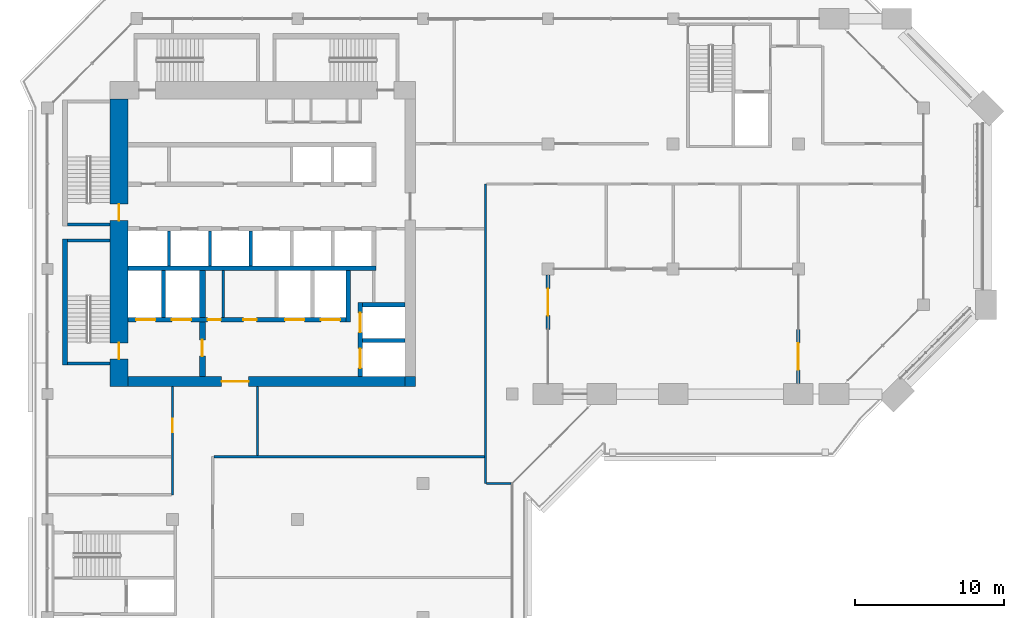
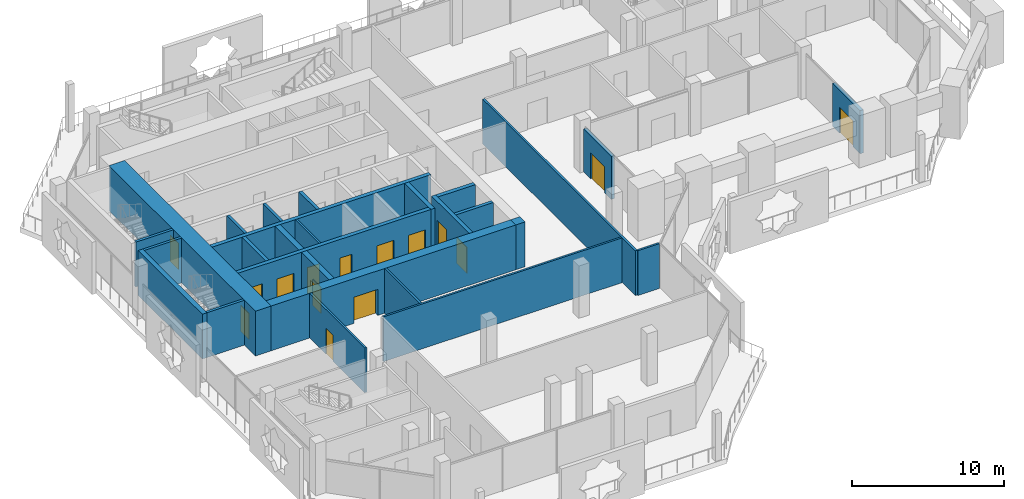
# One storey, part 11 of 20: 27 walls, 15 doors, 15 openings.
"""IFC4 building model written with IfcOpenShell, lengths in metres."""

from ifc_helpers import new_model, si_unit, direction, frame, frame_2d, origin, place, context, subcontext, project, spatial, rectangle, extrude, material, layer, layer_set, type_object, element, fill, save


model = new_model("IFC4")

# Units and contexts
model_context = context("Model", 3, precision=1e-05, world=origin(), true_north=direction((0.0, 1.0)))
body_context = subcontext(model_context, "Body", "Model", "MODEL_VIEW")
ifc_project = project(units=[si_unit("LENGTHUNIT", "METRE"), si_unit("AREAUNIT", "SQUARE_METRE"), si_unit("VOLUMEUNIT", "CUBIC_METRE"), si_unit("PLANEANGLEUNIT", "RADIAN"), si_unit("MASSUNIT", "GRAM", prefix="KILO")], contexts=[model_context])

# Site, building, storey
site_placement = place(None, origin())
site = spatial("IfcSite", under=ifc_project, at=site_placement, CompositionType="ELEMENT")
building_placement = place(site_placement, origin())
building = spatial("IfcBuilding", under=site, at=building_placement, Name="Kawkab Arch Medical Tower", CompositionType="ELEMENT")
storey_placement = place(building_placement, frame((0.0, 0.0, 277.60009765625)))
storey = spatial("IfcBuildingStorey", under=building, at=storey_placement, Name="L64", CompositionType="ELEMENT", Elevation=277.60009765625)

# Wall, openings, doors
ifc_material_1 = material(Name="Concrete C50/60", Category="concrete")
ifc_layer_1 = layer(ifc_material_1, 1.199951171875)
ifc_layer_set_1 = layer_set([ifc_layer_1], Name="Concrete C50/60")
wall_type_1 = type_object("IfcWallType", Name="Core ring wall 1200 C50/60", PredefinedType="SHEAR", material=ifc_layer_set_1)
wall_1_placement = place(storey_placement, frame((4.800048828125, -24.699951171875, 0.0), z_axis=(0.0, 0.0, 1.0), x_axis=(0.0, 1.0, 0.0)))
wall_1 = element("IfcWall", 1, at=wall_1_placement, inside=storey, type_object=wall_type_1, Name="L64 core wall", PredefinedType="SHEAR", context=body_context, shape_type="SweptSolid", body=[
    extrude(rectangle(XDim=19.300048828125, YDim=1.199951171875, at=frame_2d((9.64990234375, 0.0))), origin(), (0.0, 0.0, 1.0), 3.599853515625),
])
opening_1_placement = place(wall_1_placement, frame((11.14990234375, 0.0, 0.0)))
opening_1 = element("IfcOpeningElement", 2, at=opening_1_placement, cuts=wall_1, Name="Opening SD", PredefinedType="OPENING", context=body_context, shape_type="SweptSolid", body=[
    extrude(rectangle(XDim=1.10009765625, YDim=2.10009765625, at=frame_2d((0.550048828125, 1.050048828125))), frame((0.0, 0.60986328125, 0.0), z_axis=(0.0, -1.0, 0.0), x_axis=(1.0, 0.0, 0.0)), (0.0, 0.0, 1.0), 1.219970703125),
])
opening_2_placement = place(wall_1_placement, frame((1.85009765625, 0.0, 0.0)))
opening_2 = element("IfcOpeningElement", 3, at=opening_2_placement, cuts=wall_1, Name="Opening SD", PredefinedType="OPENING", context=body_context, shape_type="SweptSolid", body=[
    extrude(rectangle(XDim=1.10009765625, YDim=2.10009765625, at=frame_2d((0.550048828125, 1.050048828125))), frame((0.0, 0.60986328125, 0.0), z_axis=(0.0, -1.0, 0.0), x_axis=(1.0, 0.0, 0.0)), (0.0, 0.0, 1.0), 1.219970703125),
])
ifc_material_2 = material(Name="Hollow metal fire door leaf")
door_type_1 = type_object("IfcDoorType", Name="Exit stair door 1100", OperationType="SINGLE_SWING_LEFT", PredefinedType="DOOR", material=ifc_material_2)
door_1_placement = place(opening_1_placement, origin())
door_1 = element("IfcDoor", 4, at=door_1_placement, inside=storey, type_object=door_type_1, Name="L64 Exit stair ST1 door", OperationType="SINGLE_SWING_LEFT", OverallHeight=2.10009765625, OverallWidth=1.10009765625, PredefinedType="DOOR", context=body_context, shape_type="SweptSolid", body=[
    extrude(rectangle(XDim=1.10009765625, YDim=2.10009765625, at=frame_2d((0.550048828125, 1.050048828125))), frame((0.0, 0.02490234375, 0.0), z_axis=(0.0, -1.0, 0.0), x_axis=(1.0, 0.0, 0.0)), (0.0, 0.0, 1.0), 0.050048828125),
])
fill(opening_1, door_1)
door_2_placement = place(opening_2_placement, origin())
door_2 = element("IfcDoor", 5, at=door_2_placement, inside=storey, type_object=door_type_1, Name="L64 Exit stair ST2 door", OperationType="SINGLE_SWING_LEFT", OverallHeight=2.10009765625, OverallWidth=1.10009765625, PredefinedType="DOOR", context=body_context, shape_type="SweptSolid", body=[
    extrude(rectangle(XDim=1.10009765625, YDim=2.10009765625, at=frame_2d((0.550048828125, 1.050048828125))), frame((0.0, 0.02490234375, 0.0), z_axis=(0.0, -1.0, 0.0), x_axis=(1.0, 0.0, 0.0)), (0.0, 0.0, 1.0), 0.050048828125),
])
fill(opening_2, door_2)

# Wall, opening, door
ifc_material_3 = material(Name="Concrete C50/60", Category="concrete")
ifc_layer_2 = layer(ifc_material_3, 0.699951171875)
ifc_layer_set_2 = layer_set([ifc_layer_2], Name="Concrete C50/60")
wall_type_2 = type_object("IfcWallType", Name="Core ring wall 700 C50/60", PredefinedType="SHEAR", material=ifc_layer_set_2)
wall_2_placement = place(storey_placement, frame((5.39990234375, -24.35009765625, 0.0), z_axis=(0.0, 0.0, 1.0), x_axis=(1.0, 0.0, 0.0)))
wall_2 = element("IfcWall", 6, at=wall_2_placement, inside=storey, type_object=wall_type_2, Name="L64 core wall", PredefinedType="SHEAR", context=body_context, shape_type="SweptSolid", body=[
    extrude(rectangle(XDim=18.60009765625, YDim=0.699951171875, at=frame_2d((9.300048828125, 0.0))), origin(), (0.0, 0.0, 1.0), 3.599853515625),
])
opening_3_placement = place(wall_2_placement, frame((6.300048828125, 0.0, 0.0)))
opening_3 = element("IfcOpeningElement", 7, at=opening_3_placement, cuts=wall_2, Name="Opening PD", PredefinedType="OPENING", context=body_context, shape_type="SweptSolid", body=[
    extrude(rectangle(XDim=1.800048828125, YDim=2.10009765625, at=frame_2d((0.89990234375, 1.050048828125))), frame((0.0, 0.35986328125, 0.0), z_axis=(0.0, -1.0, 0.0), x_axis=(1.0, 0.0, 0.0)), (0.0, 0.0, 1.0), 0.719970703125),
])
ifc_material_4 = material(Name="Hollow metal fire door leaf")
door_type_2 = type_object("IfcDoorType", Name="Core entrance doors 1800", OperationType="DOUBLE_DOOR_SINGLE_SWING", PredefinedType="DOOR", material=ifc_material_4)
door_3_placement = place(opening_3_placement, origin())
door_3 = element("IfcDoor", 8, at=door_3_placement, inside=storey, type_object=door_type_2, Name="L64 South entrance doors", OperationType="DOUBLE_DOOR_SINGLE_SWING", OverallHeight=2.10009765625, OverallWidth=1.800048828125, PredefinedType="DOOR", context=body_context, shape_type="SweptSolid", body=[
    extrude(rectangle(XDim=1.800048828125, YDim=2.10009765625, at=frame_2d((0.89990234375, 1.050048828125))), frame((0.0, 0.02490234375, 0.0), z_axis=(0.0, -1.0, 0.0), x_axis=(1.0, 0.0, 0.0)), (0.0, 0.0, 1.0), 0.050048828125),
])
fill(opening_3, door_3)

# Walls
wall_3_placement = place(storey_placement, frame((24.35009765625, -24.699951171875, 0.0), z_axis=(0.0, 0.0, 1.0), x_axis=(0.0, 1.0, 0.0)))
element("IfcWall", 9, at=wall_3_placement, inside=storey, type_object=wall_type_2, Name="L64 core wall", PredefinedType="SHEAR", context=body_context, shape_type="SweptSolid", body=[
    extrude(rectangle(XDim=0.699951171875, YDim=0.699951171875, at=frame_2d((0.35009765625, 0.0))), origin(), (0.0, 0.0, 1.0), 3.599853515625),
])
ifc_material_5 = material(Name="Gypsum board on steel studs", Category="steel")
ifc_layer_3 = layer(ifc_material_5, 0.14990234375)
ifc_layer_set_3 = layer_set([ifc_layer_3], Name="Gypsum board on steel studs")
wall_type_3 = type_object("IfcWallType", Name="Core room partition 150", PredefinedType="PARTITIONING", material=ifc_layer_set_3)
wall_4_placement = place(storey_placement, frame((11.800048828125, -20.050048828125, 0.0), z_axis=(0.0, 0.0, 1.0), x_axis=(0.0, 1.0, 0.0)))
element("IfcWall", 10, at=wall_4_placement, inside=storey, type_object=wall_type_3, Name="L64 core room partition", PredefinedType="PARTITIONING", context=body_context, shape_type="SweptSolid", body=[
    extrude(rectangle(XDim=3.150146484375, YDim=0.14990234375, at=frame_2d((1.5751953125, 0.0))), origin(), (0.0, 0.0, 1.0), 3.599853515625),
])
ifc_material_6 = material(Name="Concrete C60/75", Category="concrete")
ifc_layer_4 = layer(ifc_material_6, 0.25)
ifc_layer_set_4 = layer_set([ifc_layer_4], Name="Concrete C60/75")
wall_type_4 = type_object("IfcWallType", Name="Core shear wall 250 C60/75", PredefinedType="SHEAR", material=ifc_layer_set_4)
wall_5_placement = place(storey_placement, frame((21.14990234375, -21.60009765625, 0.0), z_axis=(0.0, 0.0, 1.0), x_axis=(1.0, 0.0, 0.0)))
element("IfcWall", 11, at=wall_5_placement, inside=storey, type_object=wall_type_4, Name="L64 core shear wall", PredefinedType="SHEAR", context=body_context, shape_type="SweptSolid", body=[
    extrude(rectangle(XDim=2.85009765625, YDim=0.25, at=frame_2d((1.425048828125, 0.0))), origin(), (0.0, 0.0, 1.0), 3.599853515625),
])
wall_6_placement = place(storey_placement, frame((7.800048828125, -20.050048828125, 0.0), z_axis=(0.0, 0.0, 1.0), x_axis=(0.0, 1.0, 0.0)))
element("IfcWall", 12, at=wall_6_placement, inside=storey, type_object=wall_type_4, Name="L64 core shear wall", PredefinedType="SHEAR", context=body_context, shape_type="SweptSolid", body=[
    extrude(rectangle(XDim=3.150146484375, YDim=0.25, at=frame_2d((1.5751953125, 0.0))), origin(), (0.0, 0.0, 1.0), 3.599853515625),
])
wall_7_placement = place(storey_placement, frame((13.64990234375, -16.60009765625, 0.0), z_axis=(0.0, 0.0, 1.0), x_axis=(0.0, 1.0, 0.0)))
element("IfcWall", 13, at=wall_7_placement, inside=storey, type_object=wall_type_4, Name="L64 core shear wall", PredefinedType="SHEAR", context=body_context, shape_type="SweptSolid", body=[
    extrude(rectangle(XDim=2.35009765625, YDim=0.25, at=frame_2d((1.175048828125, 0.0))), origin(), (0.0, 0.0, 1.0), 3.599853515625),
])
ifc_material_7 = material(Name="Concrete C60/75", Category="concrete")
ifc_layer_5 = layer(ifc_material_7, 0.300048828125)
ifc_layer_set_5 = layer_set([ifc_layer_5], Name="Concrete C60/75")
wall_type_5 = type_object("IfcWallType", Name="Core shear wall 300 C60/75", PredefinedType="SHEAR", material=ifc_layer_set_5)
wall_8_placement = place(storey_placement, frame((5.39990234375, -16.75, 0.0), z_axis=(0.0, 0.0, 1.0), x_axis=(1.0, 0.0, 0.0)))
element("IfcWall", 14, at=wall_8_placement, inside=storey, type_object=wall_type_5, Name="L64 core shear wall", PredefinedType="SHEAR", context=body_context, shape_type="SweptSolid", body=[
    extrude(rectangle(XDim=16.650146484375, YDim=0.300048828125, at=frame_2d((8.3251953125, 0.0))), origin(), (0.0, 0.0, 1.0), 3.599853515625),
])

# Wall, openings, doors
wall_9_placement = place(storey_placement, frame((5.39990234375, -20.199951171875, 0.0), z_axis=(0.0, 0.0, 1.0), x_axis=(1.0, 0.0, 0.0)))
wall_9 = element("IfcWall", 15, at=wall_9_placement, inside=storey, type_object=wall_type_5, Name="L64 core shear wall", PredefinedType="SHEAR", context=body_context, shape_type="SweptSolid", body=[
    extrude(rectangle(XDim=14.650146484375, YDim=0.300048828125, at=frame_2d((7.3251953125, 0.0))), origin(), (0.0, 0.0, 1.0), 3.599853515625),
])
opening_4_placement = place(wall_9_placement, frame((10.550048828125, 0.0, 0.0)))
opening_4 = element("IfcOpeningElement", 16, at=opening_4_placement, cuts=wall_9, Name="Opening LD2", PredefinedType="OPENING", context=body_context, shape_type="SweptSolid", body=[
    extrude(rectangle(XDim=1.300048828125, YDim=2.10009765625, at=frame_2d((0.64990234375, 1.050048828125))), frame((0.0, 0.159912109375, 0.0), z_axis=(0.0, -1.0, 0.0), x_axis=(1.0, 0.0, 0.0)), (0.0, 0.0, 1.0), 0.320068359375),
])
opening_5_placement = place(wall_9_placement, frame((12.949951171875, 0.0, 0.0)))
opening_5 = element("IfcOpeningElement", 17, at=opening_5_placement, cuts=wall_9, Name="Opening LD2", PredefinedType="OPENING", context=body_context, shape_type="SweptSolid", body=[
    extrude(rectangle(XDim=1.300048828125, YDim=2.10009765625, at=frame_2d((0.64990234375, 1.050048828125))), frame((0.0, 0.159912109375, 0.0), z_axis=(0.0, -1.0, 0.0), x_axis=(1.0, 0.0, 0.0)), (0.0, 0.0, 1.0), 0.320068359375),
])
opening_6_placement = place(wall_9_placement, frame((0.550048828125, 0.0, 0.0)))
opening_6 = element("IfcOpeningElement", 18, at=opening_6_placement, cuts=wall_9, Name="Opening LD2", PredefinedType="OPENING", context=body_context, shape_type="SweptSolid", body=[
    extrude(rectangle(XDim=1.300048828125, YDim=2.10009765625, at=frame_2d((0.64990234375, 1.050048828125))), frame((0.0, 0.159912109375, 0.0), z_axis=(0.0, -1.0, 0.0), x_axis=(1.0, 0.0, 0.0)), (0.0, 0.0, 1.0), 0.320068359375),
])
opening_7_placement = place(wall_9_placement, frame((2.949951171875, 0.0, 0.0)))
opening_7 = element("IfcOpeningElement", 19, at=opening_7_placement, cuts=wall_9, Name="Opening LD2", PredefinedType="OPENING", context=body_context, shape_type="SweptSolid", body=[
    extrude(rectangle(XDim=1.300048828125, YDim=2.10009765625, at=frame_2d((0.64990234375, 1.050048828125))), frame((0.0, 0.159912109375, 0.0), z_axis=(0.0, -1.0, 0.0), x_axis=(1.0, 0.0, 0.0)), (0.0, 0.0, 1.0), 0.320068359375),
])
opening_8_placement = place(wall_9_placement, frame((5.35009765625, 0.0, 0.0)))
opening_8 = element("IfcOpeningElement", 20, at=opening_8_placement, cuts=wall_9, Name="Opening RD", PredefinedType="OPENING", context=body_context, shape_type="SweptSolid", body=[
    extrude(rectangle(XDim=0.89990234375, YDim=2.10009765625, at=frame_2d((0.449951171875, 1.050048828125))), frame((0.0, 0.159912109375, 0.0), z_axis=(0.0, -1.0, 0.0), x_axis=(1.0, 0.0, 0.0)), (0.0, 0.0, 1.0), 0.320068359375),
])
opening_9_placement = place(wall_9_placement, frame((7.75, 0.0, 0.0)))
opening_9 = element("IfcOpeningElement", 21, at=opening_9_placement, cuts=wall_9, Name="Opening RD", PredefinedType="OPENING", context=body_context, shape_type="SweptSolid", body=[
    extrude(rectangle(XDim=0.89990234375, YDim=2.10009765625, at=frame_2d((0.449951171875, 1.050048828125))), frame((0.0, 0.159912109375, 0.0), z_axis=(0.0, -1.0, 0.0), x_axis=(1.0, 0.0, 0.0)), (0.0, 0.0, 1.0), 0.320068359375),
])
ifc_material_8 = material(Name="Hollow metal fire door leaf")
door_type_3 = type_object("IfcDoorType", Name="Core room door 900", OperationType="SINGLE_SWING_LEFT", PredefinedType="DOOR", material=ifc_material_8)
door_4_placement = place(opening_8_placement, origin())
door_4 = element("IfcDoor", 22, at=door_4_placement, inside=storey, type_object=door_type_3, Name="L64 Equipment store door", OperationType="SINGLE_SWING_LEFT", OverallHeight=2.10009765625, OverallWidth=0.89990234375, PredefinedType="DOOR", context=body_context, shape_type="SweptSolid", body=[
    extrude(rectangle(XDim=0.89990234375, YDim=2.10009765625, at=frame_2d((0.449951171875, 1.050048828125))), frame((0.0, 0.02490234375, 0.0), z_axis=(0.0, -1.0, 0.0), x_axis=(1.0, 0.0, 0.0)), (0.0, 0.0, 1.0), 0.050048828125),
])
fill(opening_8, door_4)
door_5_placement = place(opening_9_placement, origin())
door_5 = element("IfcDoor", 23, at=door_5_placement, inside=storey, type_object=door_type_3, Name="L64 Medication store door", OperationType="SINGLE_SWING_LEFT", OverallHeight=2.10009765625, OverallWidth=0.89990234375, PredefinedType="DOOR", context=body_context, shape_type="SweptSolid", body=[
    extrude(rectangle(XDim=0.89990234375, YDim=2.10009765625, at=frame_2d((0.449951171875, 1.050048828125))), frame((0.0, 0.02490234375, 0.0), z_axis=(0.0, -1.0, 0.0), x_axis=(1.0, 0.0, 0.0)), (0.0, 0.0, 1.0), 0.050048828125),
])
fill(opening_9, door_5)
ifc_material_9 = material(Name="Stainless steel lift door leaf", Category="steel")
door_type_4 = type_object("IfcDoorType", Name="Lift landing door 1300", OperationType="DOUBLE_DOOR_SLIDING", PredefinedType="DOOR", material=ifc_material_9)
door_6_placement = place(opening_4_placement, origin())
door_6 = element("IfcDoor", 24, at=door_6_placement, inside=storey, type_object=door_type_4, Name="L64 Lift landing door BD3", OperationType="DOUBLE_DOOR_SLIDING", OverallHeight=2.10009765625, OverallWidth=1.300048828125, PredefinedType="DOOR", context=body_context, shape_type="SweptSolid", body=[
    extrude(rectangle(XDim=1.300048828125, YDim=2.10009765625, at=frame_2d((0.64990234375, 1.050048828125))), frame((0.0, 0.02490234375, 0.0), z_axis=(0.0, -1.0, 0.0), x_axis=(1.0, 0.0, 0.0)), (0.0, 0.0, 1.0), 0.050048828125),
])
fill(opening_4, door_6)
door_7_placement = place(opening_5_placement, origin())
door_7 = element("IfcDoor", 25, at=door_7_placement, inside=storey, type_object=door_type_4, Name="L64 Lift landing door BD4", OperationType="DOUBLE_DOOR_SLIDING", OverallHeight=2.10009765625, OverallWidth=1.300048828125, PredefinedType="DOOR", context=body_context, shape_type="SweptSolid", body=[
    extrude(rectangle(XDim=1.300048828125, YDim=2.10009765625, at=frame_2d((0.64990234375, 1.050048828125))), frame((0.0, 0.02490234375, 0.0), z_axis=(0.0, -1.0, 0.0), x_axis=(1.0, 0.0, 0.0)), (0.0, 0.0, 1.0), 0.050048828125),
])
fill(opening_5, door_7)
door_8_placement = place(opening_6_placement, origin())
door_8 = element("IfcDoor", 26, at=door_8_placement, inside=storey, type_object=door_type_4, Name="L64 Lift landing door FL1", OperationType="DOUBLE_DOOR_SLIDING", OverallHeight=2.10009765625, OverallWidth=1.300048828125, PredefinedType="DOOR", context=body_context, shape_type="SweptSolid", body=[
    extrude(rectangle(XDim=1.300048828125, YDim=2.10009765625, at=frame_2d((0.64990234375, 1.050048828125))), frame((0.0, 0.02490234375, 0.0), z_axis=(0.0, -1.0, 0.0), x_axis=(1.0, 0.0, 0.0)), (0.0, 0.0, 1.0), 0.050048828125),
])
fill(opening_6, door_8)
door_9_placement = place(opening_7_placement, origin())
door_9 = element("IfcDoor", 27, at=door_9_placement, inside=storey, type_object=door_type_4, Name="L64 Lift landing door FL2", OperationType="DOUBLE_DOOR_SLIDING", OverallHeight=2.10009765625, OverallWidth=1.300048828125, PredefinedType="DOOR", context=body_context, shape_type="SweptSolid", body=[
    extrude(rectangle(XDim=1.300048828125, YDim=2.10009765625, at=frame_2d((0.64990234375, 1.050048828125))), frame((0.0, 0.02490234375, 0.0), z_axis=(0.0, -1.0, 0.0), x_axis=(1.0, 0.0, 0.0)), (0.0, 0.0, 1.0), 0.050048828125),
])
fill(opening_7, door_9)

# Walls
wall_10_placement = place(storey_placement, frame((20.199951171875, -20.35009765625, 0.0), z_axis=(0.0, 0.0, 1.0), x_axis=(0.0, 1.0, 0.0)))
element("IfcWall", 28, at=wall_10_placement, inside=storey, type_object=wall_type_5, Name="L64 core shear wall", PredefinedType="SHEAR", context=body_context, shape_type="SweptSolid", body=[
    extrude(rectangle(XDim=3.4501953125, YDim=0.300048828125, at=frame_2d((1.72509765625, 0.0))), origin(), (0.0, 0.0, 1.0), 3.599853515625),
])
wall_11_placement = place(storey_placement, frame((21.14990234375, -19.199951171875, 0.0), z_axis=(0.0, 0.0, 1.0), x_axis=(1.0, 0.0, 0.0)))
element("IfcWall", 29, at=wall_11_placement, inside=storey, type_object=wall_type_5, Name="L64 core shear wall", PredefinedType="SHEAR", context=body_context, shape_type="SweptSolid", body=[
    extrude(rectangle(XDim=2.85009765625, YDim=0.300048828125, at=frame_2d((1.425048828125, 0.0))), origin(), (0.0, 0.0, 1.0), 3.599853515625),
])

# Wall, openings, doors
wall_12_placement = place(storey_placement, frame((21.0, -24.0, 0.0), z_axis=(0.0, 0.0, 1.0), x_axis=(0.0, 1.0, 0.0)))
wall_12 = element("IfcWall", 30, at=wall_12_placement, inside=storey, type_object=wall_type_5, Name="L64 core shear wall", PredefinedType="SHEAR", context=body_context, shape_type="SweptSolid", body=[
    extrude(rectangle(XDim=4.949951171875, YDim=0.300048828125, at=frame_2d((2.47509765625, 0.0))), origin(), (0.0, 0.0, 1.0), 3.599853515625),
])
opening_10_placement = place(wall_12_placement, frame((2.949951171875, 0.0, 0.0)))
opening_10 = element("IfcOpeningElement", 31, at=opening_10_placement, cuts=wall_12, Name="Opening LD2", PredefinedType="OPENING", context=body_context, shape_type="SweptSolid", body=[
    extrude(rectangle(XDim=1.300048828125, YDim=2.10009765625, at=frame_2d((0.64990234375, 1.050048828125))), frame((0.0, 0.159912109375, 0.0), z_axis=(0.0, -1.0, 0.0), x_axis=(1.0, 0.0, 0.0)), (0.0, 0.0, 1.0), 0.320068359375),
])
opening_11_placement = place(wall_12_placement, frame((0.550048828125, 0.0, 0.0)))
opening_11 = element("IfcOpeningElement", 32, at=opening_11_placement, cuts=wall_12, Name="Opening LD2", PredefinedType="OPENING", context=body_context, shape_type="SweptSolid", body=[
    extrude(rectangle(XDim=1.300048828125, YDim=2.10009765625, at=frame_2d((0.64990234375, 1.050048828125))), frame((0.0, 0.159912109375, 0.0), z_axis=(0.0, -1.0, 0.0), x_axis=(1.0, 0.0, 0.0)), (0.0, 0.0, 1.0), 0.320068359375),
])
door_10_placement = place(opening_10_placement, origin())
door_10 = element("IfcDoor", 33, at=door_10_placement, inside=storey, type_object=door_type_4, Name="L64 Lift landing door BD1", OperationType="DOUBLE_DOOR_SLIDING", OverallHeight=2.10009765625, OverallWidth=1.300048828125, PredefinedType="DOOR", context=body_context, shape_type="SweptSolid", body=[
    extrude(rectangle(XDim=1.300048828125, YDim=2.10009765625, at=frame_2d((0.64990234375, 1.050048828125))), frame((0.0, 0.02490234375, 0.0), z_axis=(0.0, -1.0, 0.0), x_axis=(1.0, 0.0, 0.0)), (0.0, 0.0, 1.0), 0.050048828125),
])
fill(opening_10, door_10)
door_11_placement = place(opening_11_placement, origin())
door_11 = element("IfcDoor", 34, at=door_11_placement, inside=storey, type_object=door_type_4, Name="L64 Lift landing door BD2", OperationType="DOUBLE_DOOR_SLIDING", OverallHeight=2.10009765625, OverallWidth=1.300048828125, PredefinedType="DOOR", context=body_context, shape_type="SweptSolid", body=[
    extrude(rectangle(XDim=1.300048828125, YDim=2.10009765625, at=frame_2d((0.64990234375, 1.050048828125))), frame((0.0, 0.02490234375, 0.0), z_axis=(0.0, -1.0, 0.0), x_axis=(1.0, 0.0, 0.0)), (0.0, 0.0, 1.0), 0.050048828125),
])
fill(opening_11, door_11)

# Wall, opening, door
ifc_material_10 = material(Name="Concrete C60/75", Category="concrete")
ifc_layer_6 = layer(ifc_material_10, 0.39990234375)
ifc_layer_set_6 = layer_set([ifc_layer_6], Name="Concrete C60/75")
wall_type_6 = type_object("IfcWallType", Name="Core shear wall 400 C60/75", PredefinedType="SHEAR", material=ifc_layer_set_6)
wall_13_placement = place(storey_placement, frame((10.39990234375, -24.0, 0.0), z_axis=(0.0, 0.0, 1.0), x_axis=(0.0, 1.0, 0.0)))
wall_13 = element("IfcWall", 35, at=wall_13_placement, inside=storey, type_object=wall_type_6, Name="L64 core shear wall", PredefinedType="SHEAR", context=body_context, shape_type="SweptSolid", body=[
    extrude(rectangle(XDim=3.64990234375, YDim=0.39990234375, at=frame_2d((1.824951171875, 0.0))), origin(), (0.0, 0.0, 1.0), 3.599853515625),
])
opening_12_placement = place(wall_13_placement, frame((1.35009765625, 0.0, 0.0)))
opening_12 = element("IfcOpeningElement", 36, at=opening_12_placement, cuts=wall_13, Name="Opening FD", PredefinedType="OPENING", context=body_context, shape_type="SweptSolid", body=[
    extrude(rectangle(XDim=1.10009765625, YDim=2.10009765625, at=frame_2d((0.550048828125, 1.050048828125))), frame((0.0, 0.2099609375, 0.0), z_axis=(0.0, -1.0, 0.0), x_axis=(1.0, 0.0, 0.0)), (0.0, 0.0, 1.0), 0.419921875),
])
ifc_material_11 = material(Name="Hollow metal fire door leaf")
door_type_5 = type_object("IfcDoorType", Name="Firefighting lobby door 1100", OperationType="SINGLE_SWING_LEFT", PredefinedType="DOOR", material=ifc_material_11)
door_12_placement = place(opening_12_placement, origin())
door_12 = element("IfcDoor", 37, at=door_12_placement, inside=storey, type_object=door_type_5, Name="L64 Firefighting lobby door", OperationType="SINGLE_SWING_LEFT", OverallHeight=2.10009765625, OverallWidth=1.10009765625, PredefinedType="DOOR", context=body_context, shape_type="SweptSolid", body=[
    extrude(rectangle(XDim=1.10009765625, YDim=2.10009765625, at=frame_2d((0.550048828125, 1.050048828125))), frame((0.0, 0.02490234375, 0.0), z_axis=(0.0, -1.0, 0.0), x_axis=(1.0, 0.0, 0.0)), (0.0, 0.0, 1.0), 0.050048828125),
])
fill(opening_12, door_12)

# Wall
wall_14_placement = place(storey_placement, frame((10.39990234375, -20.050048828125, 0.0), z_axis=(0.0, 0.0, 1.0), x_axis=(0.0, 1.0, 0.0)))
element("IfcWall", 38, at=wall_14_placement, inside=storey, type_object=wall_type_6, Name="L64 core shear wall", PredefinedType="SHEAR", context=body_context, shape_type="SweptSolid", body=[
    extrude(rectangle(XDim=3.150146484375, YDim=0.39990234375, at=frame_2d((1.5751953125, 0.0))), origin(), (0.0, 0.0, 1.0), 3.599853515625),
])

# Wall, opening, door
ifc_material_12 = material(Name="Bronze clad insulated wall panel")
ifc_layer_7 = layer(ifc_material_12, 0.25)
ifc_layer_set_7 = layer_set([ifc_layer_7], Name="Bronze clad insulated wall panel")
wall_type_7 = type_object("IfcWallType", Name="External wall bay 250", PredefinedType="SOLIDWALL", material=ifc_layer_set_7)
wall_15_placement = place(storey_placement, frame((33.60009765625, -20.85009765625, 0.0), z_axis=(0.0, 0.0, 1.0), x_axis=(0.0, 1.0, 0.0)))
wall_15 = element("IfcWall", 39, at=wall_15_placement, inside=storey, type_object=wall_type_7, Name="External wall bay L64.R03.1.2", PredefinedType="SOLIDWALL", context=body_context, shape_type="SweptSolid", body=[
    extrude(rectangle(XDim=3.650146484375, YDim=0.25, at=frame_2d((1.8251953125, 0.0))), origin(), (0.0, 0.0, 1.0), 3.4599609375),
])
opening_13_placement = place(wall_15_placement, frame((0.925048828125, 0.0, 0.0)))
opening_13 = element("IfcOpeningElement", 40, at=opening_13_placement, cuts=wall_15, Name="Opening B64-701", PredefinedType="OPENING", context=body_context, shape_type="SweptSolid", body=[
    extrude(rectangle(XDim=1.800048828125, YDim=2.10009765625, at=frame_2d((0.89990234375, 1.050048828125))), frame((0.0, 0.135009765625, 0.0), z_axis=(0.0, -1.0, 0.0), x_axis=(1.0, 0.0, 0.0)), (0.0, 0.0, 1.0), 0.27001953125),
])
ifc_material_13 = material(Name="Bronze anodised aluminium door with tinted glass", Category="aluminium")
door_type_6 = type_object("IfcDoorType", Name="Double external door 1800 x 2100", OperationType="DOUBLE_DOOR_SINGLE_SWING", PredefinedType="DOOR", material=ifc_material_13)
door_13_placement = place(opening_13_placement, origin())
door_13 = element("IfcDoor", 41, at=door_13_placement, inside=storey, type_object=door_type_6, Name="External door L64.R03.1.2", OperationType="DOUBLE_DOOR_SINGLE_SWING", OverallHeight=2.10009765625, OverallWidth=1.800048828125, PredefinedType="DOOR", context=body_context, shape_type="SweptSolid", body=[
    extrude(rectangle(XDim=1.800048828125, YDim=2.10009765625, at=frame_2d((0.89990234375, 1.050048828125))), frame((0.0, 0.02490234375, 0.0), z_axis=(0.0, -1.0, 0.0), x_axis=(1.0, 0.0, 0.0)), (0.0, 0.0, 1.0), 0.050048828125),
])
fill(opening_13, door_13)

wall_16_placement = place(storey_placement, frame((50.39990234375, -20.85009765625, 0.0), z_axis=(0.0, 0.0, 1.0), x_axis=(0.0, -1.0, 0.0)))
wall_16 = element("IfcWall", 42, at=wall_16_placement, inside=storey, type_object=wall_type_7, Name="External wall bay L64.R05.1.2", PredefinedType="SOLIDWALL", context=body_context, shape_type="SweptSolid", body=[
    extrude(rectangle(XDim=3.64990234375, YDim=0.25, at=frame_2d((1.824951171875, 0.0))), origin(), (0.0, 0.0, 1.0), 3.4599609375),
])
opening_14_placement = place(wall_16_placement, frame((0.925048828125, 0.0, 0.0)))
opening_14 = element("IfcOpeningElement", 43, at=opening_14_placement, cuts=wall_16, Name="Opening B64-701", PredefinedType="OPENING", context=body_context, shape_type="SweptSolid", body=[
    extrude(rectangle(XDim=1.800048828125, YDim=2.10009765625, at=frame_2d((0.89990234375, 1.050048828125))), frame((0.0, 0.135009765625, 0.0), z_axis=(0.0, -1.0, 0.0), x_axis=(1.0, 0.0, 0.0)), (0.0, 0.0, 1.0), 0.27001953125),
])
door_14_placement = place(opening_14_placement, origin())
door_14 = element("IfcDoor", 44, at=door_14_placement, inside=storey, type_object=door_type_6, Name="External door L64.R05.1.2", OperationType="DOUBLE_DOOR_SINGLE_SWING", OverallHeight=2.10009765625, OverallWidth=1.800048828125, PredefinedType="DOOR", context=body_context, shape_type="SweptSolid", body=[
    extrude(rectangle(XDim=1.800048828125, YDim=2.10009765625, at=frame_2d((0.89990234375, 1.050048828125))), frame((0.0, 0.02490234375, 0.0), z_axis=(0.0, -1.0, 0.0), x_axis=(1.0, 0.0, 0.0)), (0.0, 0.0, 1.0), 0.050048828125),
])
fill(opening_14, door_14)

# Walls
ifc_material_14 = material(Name="Dense concrete blockwork", Category="masonry")
ifc_layer_8 = layer(ifc_material_14, 0.199951171875)
ifc_layer_set_8 = layer_set([ifc_layer_8], Name="Dense concrete blockwork")
wall_type_8 = type_object("IfcWallType", Name="Lift shaft partition 200", PredefinedType="PARTITIONING", material=ifc_layer_set_8)
for number, where, z_axis, x_axis, name in (
    (45, (8.14990234375, -16.60009765625, 0.0), (0.0, 0.0, 1.0), (0.0, 1.0, 0.0), "L64 lift shaft partition"),
    (46, (10.89990234375, -16.60009765625, 0.0), (0.0, 0.0, 1.0), (0.0, 1.0, 0.0), "L64 lift shaft partition"),
):
    element("IfcWall", number, at=place(storey_placement, frame(where, z_axis=z_axis, x_axis=x_axis)), inside=storey, type_object=wall_type_8, Name=name, PredefinedType="PARTITIONING", context=body_context, shape_type="SweptSolid", body=[
        extrude(rectangle(XDim=2.35009765625, YDim=0.199951171875, at=frame_2d((1.175048828125, 0.0))), origin(), (0.0, 0.0, 1.0), 3.599853515625),
    ])
ifc_material_15 = material(Name="Gypsum board partition on steel studs, mineral wool", Category="steel")
ifc_layer_9 = layer(ifc_material_15, 0.14990234375)
ifc_layer_set_9 = layer_set([ifc_layer_9], Name="Gypsum board partition on steel studs, mineral wool")
wall_type_9 = type_object("IfcWallType", Name="Partition 150", PredefinedType="PARTITIONING", material=ifc_layer_set_9)
wall_17_placement = place(storey_placement, frame((29.47705078125, -31.199951171875, 0.0), z_axis=(0.0, 0.0, 1.0), x_axis=(1.0, 0.0, 0.0)))
element("IfcWall", 47, at=wall_17_placement, inside=storey, type_object=wall_type_9, Name="Partition 150 w004", PredefinedType="PARTITIONING", context=body_context, shape_type="SweptSolid", body=[
    extrude(rectangle(XDim=1.64306640625, YDim=0.14990234375, at=frame_2d((0.821533203125, 0.0))), origin(), (0.0, 0.0, 1.0), 3.599853515625),
])
wall_18_placement = place(storey_placement, frame((11.175048828125, -29.39990234375, 0.0), z_axis=(0.0, 0.0, 1.0), x_axis=(1.0, 0.0, 0.0)))
element("IfcWall", 48, at=wall_18_placement, inside=storey, type_object=wall_type_9, Name="Partition 150 w006", PredefinedType="PARTITIONING", context=body_context, shape_type="SweptSolid", body=[
    extrude(rectangle(XDim=18.14990234375, YDim=0.14990234375, at=frame_2d((9.074951171875, 0.0))), origin(), (0.0, 0.0, 1.0), 3.599853515625),
])

# Wall, opening, door
wall_19_placement = place(storey_placement, frame((8.39990234375, -31.95703125, 0.0), z_axis=(0.0, 0.0, 1.0), x_axis=(0.0, 1.0, 0.0)))
wall_19 = element("IfcWall", 49, at=wall_19_placement, inside=storey, type_object=wall_type_9, Name="Partition 150 w014", PredefinedType="PARTITIONING", context=body_context, shape_type="SweptSolid", body=[
    extrude(rectangle(XDim=7.257080078125, YDim=0.14990234375, at=frame_2d((3.62841796875, 0.0))), origin(), (0.0, 0.0, 1.0), 3.599853515625),
])
opening_15_placement = place(wall_19_placement, frame((4.20703125, 0.0, 0.0)))
opening_15 = element("IfcOpeningElement", 50, at=opening_15_placement, cuts=wall_19, Name="Opening B64-006", PredefinedType="OPENING", context=body_context, shape_type="SweptSolid", body=[
    extrude(rectangle(XDim=0.89990234375, YDim=2.10009765625, at=frame_2d((0.449951171875, 1.050048828125))), frame((0.0, 0.0849609375, 0.0), z_axis=(0.0, -1.0, 0.0), x_axis=(1.0, 0.0, 0.0)), (0.0, 0.0, 1.0), 0.169921875),
])
ifc_material_16 = material(Name="Timber door leaf", Category="wood")
door_type_7 = type_object("IfcDoorType", Name="Single door 900x2100", OperationType="NOTDEFINED", PredefinedType="DOOR", material=ifc_material_16)
door_15_placement = place(opening_15_placement, origin())
door_15 = element("IfcDoor", 51, at=door_15_placement, inside=storey, type_object=door_type_7, Name="Door B64-006", OperationType="SINGLE_SWING_RIGHT", OverallHeight=2.10009765625, OverallWidth=0.89990234375, PredefinedType="DOOR", context=body_context, shape_type="SweptSolid", body=[
    extrude(rectangle(XDim=0.89990234375, YDim=2.10009765625, at=frame_2d((0.449951171875, 1.050048828125))), frame((0.0, 0.02490234375, 0.0), z_axis=(0.0, -1.0, 0.0), x_axis=(1.0, 0.0, 0.0)), (0.0, 0.0, 1.0), 0.050048828125),
])
fill(opening_15, door_15)

# Walls
wall_20_placement = place(storey_placement, frame((14.10009765625, -29.324951171875, 0.0), z_axis=(0.0, 0.0, 1.0), x_axis=(0.0, 1.0, 0.0)))
element("IfcWall", 52, at=wall_20_placement, inside=storey, type_object=wall_type_9, Name="Partition 150 w017", PredefinedType="PARTITIONING", context=body_context, shape_type="SweptSolid", body=[
    extrude(rectangle(XDim=4.625, YDim=0.14990234375, at=frame_2d((2.3125, 0.0))), origin(), (0.0, 0.0, 1.0), 3.599853515625),
])
wall_21_placement = place(storey_placement, frame((29.39990234375, -31.197998046875, 0.0), z_axis=(0.0, 0.0, 1.0), x_axis=(0.0, 1.0, 0.0)))
element("IfcWall", 53, at=wall_21_placement, inside=storey, type_object=wall_type_9, Name="Partition 150 w019", PredefinedType="PARTITIONING", context=body_context, shape_type="SweptSolid", body=[
    extrude(rectangle(XDim=20.097900390625, YDim=0.14990234375, at=frame_2d((10.048828125, 0.0))), origin(), (0.0, 0.0, 1.0), 3.599853515625),
])
ifc_material_17 = material(Name="Concrete C50/60", Category="concrete")
ifc_layer_10 = layer(ifc_material_17, 0.199951171875)
ifc_layer_set_10 = layer_set([ifc_layer_10], Name="Concrete C50/60")
wall_type_10 = type_object("IfcWallType", Name="Stair enclosure wall 200 C50/60", PredefinedType="SHEAR", material=ifc_layer_set_10)
for number, where, z_axis, x_axis, name in (
    (54, (1.35009765625, -13.800048828125, 0.0), (0.0, 0.0, 1.0), (1.0, 0.0, 0.0), "L64 stair enclosure wall"),
    (55, (1.35009765625, -14.89990234375, 0.0), (0.0, 0.0, 1.0), (1.0, 0.0, 0.0), "L64 stair enclosure wall"),
    (56, (1.35009765625, -23.14990234375, 0.0), (0.0, 0.0, 1.0), (1.0, 0.0, 0.0), "L64 stair enclosure wall"),
):
    element("IfcWall", number, at=place(storey_placement, frame(where, z_axis=z_axis, x_axis=x_axis)), inside=storey, type_object=wall_type_10, Name=name, PredefinedType="SHEAR", context=body_context, shape_type="SweptSolid", body=[
        extrude(rectangle(XDim=2.849853515625, YDim=0.199951171875, at=frame_2d((1.4248046875, 0.0))), origin(), (0.0, 0.0, 1.0), 3.599853515625),
    ])
ifc_material_18 = material(Name="Concrete C50/60", Category="concrete")
ifc_layer_11 = layer(ifc_material_18, 0.35009765625)
ifc_layer_set_11 = layer_set([ifc_layer_11], Name="Concrete C50/60")
wall_type_11 = type_object("IfcWallType", Name="Stair enclosure wall 350 C50/60", PredefinedType="SHEAR", material=ifc_layer_set_11)
wall_22_placement = place(storey_placement, frame((1.175048828125, -23.25, 0.0), z_axis=(0.0, 0.0, 1.0), x_axis=(0.0, 1.0, 0.0)))
element("IfcWall", 57, at=wall_22_placement, inside=storey, type_object=wall_type_11, Name="L64 stair enclosure wall", PredefinedType="SHEAR", context=body_context, shape_type="SweptSolid", body=[
    extrude(rectangle(XDim=8.449951171875, YDim=0.35009765625, at=frame_2d((4.22509765625, 0.0))), origin(), (0.0, 0.0, 1.0), 3.599853515625),
])

save(model, "model.ifc")
